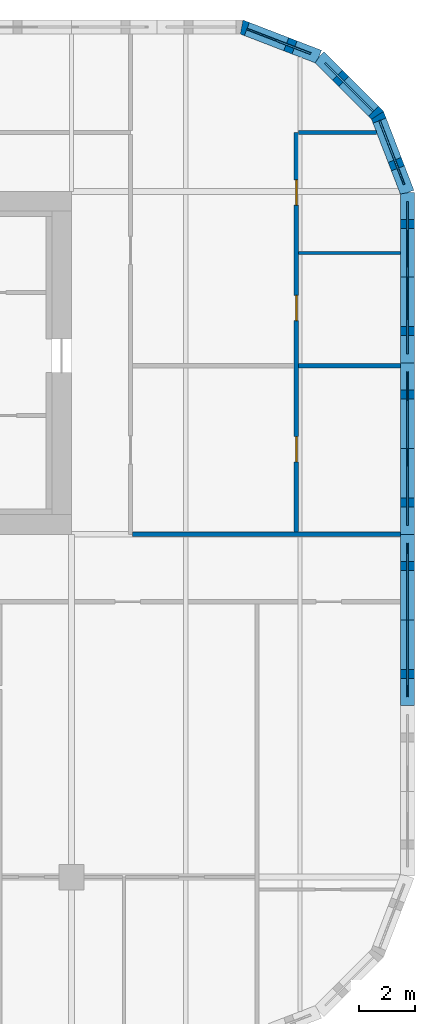
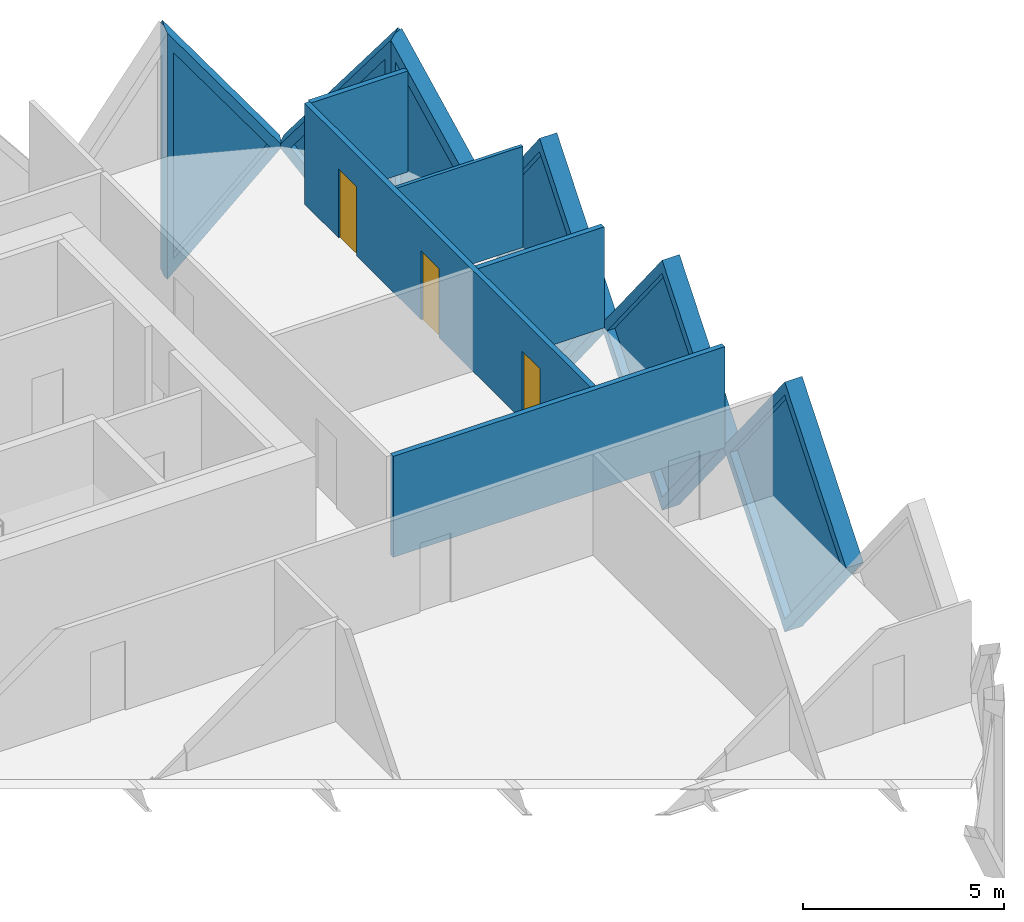
# One storey, part 16 of 19: 11 walls, 6 plates, 3 doors, 9 openings.
"""IFC4 building model written with IfcOpenShell, lengths in metres."""

from ifc_helpers import new_model, si_unit, direction, frame, frame_2d, origin, place, context, subcontext, project, spatial, polyline, rectangle, outline, extrude, faceted_brep, source, transform, mapped, material, layer, layer_set, type_object, element, fill, save


model = new_model("IFC4")

# Units and contexts
model_context = context("Model", 3, precision=1e-05, world=origin(), true_north=direction((0.0, 1.0)))
body_context = subcontext(model_context, "Body", "Model", "MODEL_VIEW")
ifc_project = project(units=[si_unit("LENGTHUNIT", "METRE"), si_unit("AREAUNIT", "SQUARE_METRE"), si_unit("VOLUMEUNIT", "CUBIC_METRE"), si_unit("PLANEANGLEUNIT", "RADIAN"), si_unit("MASSUNIT", "GRAM", prefix="KILO")], contexts=[model_context])

# Site, building, storey
site_placement = place(None, origin())
site = spatial("IfcSite", under=ifc_project, at=site_placement, CompositionType="ELEMENT")
building_placement = place(site_placement, origin())
building = spatial("IfcBuilding", under=site, at=building_placement, Name="Tessera Gate Towers", CompositionType="ELEMENT")
storey_placement = place(building_placement, frame((0.0, 0.0, 33.39990234375)))
storey = spatial("IfcBuildingStorey", under=building, at=storey_placement, Name="L07", CompositionType="ELEMENT", Elevation=33.39990234375)

# Walls
ifc_material_1 = material(Name="Gypsum board on steel studs, mineral wool", Category="steel")
ifc_layer_1 = layer(ifc_material_1, 0.14990234375)
ifc_layer_set_1 = layer_set([ifc_layer_1], Name="CORRIDOR WALL 150")
wall_type_1 = type_object("IfcWallType", Name="CORRIDOR WALL 150", PredefinedType="PARTITIONING", material=ifc_layer_set_1)
wall_1_placement = place(storey_placement, frame((124.176025390625, 36.60009765625, 0.0), z_axis=(0.0, 0.0, 1.0), x_axis=(1.0, 0.0, 0.0)))
element("IfcWall", 1, at=wall_1_placement, inside=storey, type_object=wall_type_1, Name="T2-L07-PW-031", PredefinedType="PARTITIONING", context=body_context, shape_type="SweptSolid", body=[
    extrude(rectangle(XDim=9.52392578125, YDim=0.14990234375, at=frame_2d((4.761962890625, 0.0))), origin(), (0.0, 0.0, 1.0), 3.067138671875),
])
ifc_material_2 = material(Name="Gypsum board on steel studs", Category="steel")
ifc_layer_2 = layer(ifc_material_2, 0.10009765625)
ifc_layer_set_2 = layer_set([ifc_layer_2], Name="PARTITION 100")
wall_type_2 = type_object("IfcWallType", Name="PARTITION 100", PredefinedType="PARTITIONING", material=ifc_layer_set_2)
wall_2_placement = place(storey_placement, frame((130.075927734375, 46.610107421875, 0.0), z_axis=(0.0, 0.0, 1.0), x_axis=(1.0, 0.0, 0.0)))
element("IfcWall", 2, at=wall_2_placement, inside=storey, type_object=wall_type_2, Name="T2-L07-PW-040", PredefinedType="PARTITIONING", context=body_context, shape_type="SweptSolid", body=[
    extrude(rectangle(XDim=3.6240234375, YDim=0.10009765625, at=frame_2d((1.81201171875, 0.0))), origin(), (0.0, 0.0, 1.0), 3.067138671875),
])

# Wall, openings, doors
ifc_material_3 = material(Name="Gypsum board on steel studs, mineral wool", Category="steel")
ifc_layer_3 = layer(ifc_material_3, 0.14990234375)
ifc_layer_set_3 = layer_set([ifc_layer_3], Name="TENANCY WALL 150")
wall_type_3 = type_object("IfcWallType", Name="TENANCY WALL 150", PredefinedType="PARTITIONING", material=ifc_layer_set_3)
wall_3_placement = place(storey_placement, frame((130.0, 50.89990234375, 0.0), z_axis=(0.0, 0.0, 1.0), x_axis=(0.0, -1.0, 0.0)))
wall_3 = element("IfcWall", 3, at=wall_3_placement, inside=storey, type_object=wall_type_3, Name="T2-L07-PW-033", PredefinedType="PARTITIONING", context=body_context, shape_type="SweptSolid", body=[
    extrude(rectangle(XDim=14.223876953125, YDim=0.14990234375, at=frame_2d((7.11181640625, 0.0))), origin(), (0.0, 0.0, 1.0), 3.067138671875),
])
shared_shape_1 = source(origin(), body_context, "Body", "SweptSolid", [
    extrude(rectangle(XDim=0.89990234375, YDim=2.10009765625, at=frame_2d((0.449951171875, 1.050048828125))), frame((0.0, 0.0849609375, 0.0), z_axis=(0.0, -1.0, 0.0), x_axis=(1.0, 0.0, 0.0)), (0.0, 0.0, 1.0), 0.169921875),
])
opening_1_placement = place(wall_3_placement, frame((5.799072265625, 0.0, 0.0)))
opening_1 = element("IfcOpeningElement", 4, at=opening_1_placement, cuts=wall_3, Name="Opening D190-B03-02", PredefinedType="OPENING", context=body_context, shape_type="MappedRepresentation", body=[
    mapped(shared_shape_1, transform((0.0, 0.0, 0.0), scale=1.0)),
])
opening_2_placement = place(wall_3_placement, frame((10.823974609375, 0.0, 0.0)))
opening_2 = element("IfcOpeningElement", 5, at=opening_2_placement, cuts=wall_3, Name="Opening D190-B03-14", PredefinedType="OPENING", context=body_context, shape_type="MappedRepresentation", body=[
    mapped(shared_shape_1, transform((0.0, 0.0, 0.0), scale=1.0)),
])
opening_3_placement = place(wall_3_placement, frame((1.690185546875, 0.0, 0.0)))
opening_3 = element("IfcOpeningElement", 6, at=opening_3_placement, cuts=wall_3, Name="Opening D190-B03-15", PredefinedType="OPENING", context=body_context, shape_type="MappedRepresentation", body=[
    mapped(shared_shape_1, transform((0.0, 0.0, 0.0), scale=1.0)),
])
ifc_material_4 = material(Name="Timber door leaf in steel frame", Category="steel")
door_type = type_object("IfcDoorType", Name="INTERNAL DOOR 900 NOT RATED", OperationType="NOTDEFINED", PredefinedType="DOOR", material=ifc_material_4)
shared_shape_2 = source(origin(), body_context, "Body", "SweptSolid", [
    extrude(rectangle(XDim=0.89990234375, YDim=2.10009765625, at=frame_2d((0.449951171875, 1.050048828125))), frame((0.0, 0.02490234375, 0.0), z_axis=(0.0, -1.0, 0.0), x_axis=(1.0, 0.0, 0.0)), (0.0, 0.0, 1.0), 0.050048828125),
])
door_1_placement = place(opening_1_placement, origin())
door_1 = element("IfcDoor", 7, at=door_1_placement, inside=storey, type_object=door_type, Name="T2-L07-PD-002", OperationType="SINGLE_SWING_RIGHT", OverallHeight=2.10009765625, OverallWidth=0.89990234375, PredefinedType="DOOR", context=body_context, shape_type="MappedRepresentation", body=[
    mapped(shared_shape_2, transform((0.0, 0.0, 0.0), scale=1.0)),
])
fill(opening_1, door_1)
door_2_placement = place(opening_2_placement, origin())
door_2 = element("IfcDoor", 8, at=door_2_placement, inside=storey, type_object=door_type, Name="T2-L07-PD-018", OperationType="SINGLE_SWING_RIGHT", OverallHeight=2.10009765625, OverallWidth=0.89990234375, PredefinedType="DOOR", context=body_context, shape_type="MappedRepresentation", body=[
    mapped(shared_shape_2, transform((0.0, 0.0, 0.0), scale=1.0)),
])
fill(opening_2, door_2)
door_3_placement = place(opening_3_placement, origin())
door_3 = element("IfcDoor", 9, at=door_3_placement, inside=storey, type_object=door_type, Name="T2-L07-PD-020", OperationType="SINGLE_SWING_RIGHT", OverallHeight=2.10009765625, OverallWidth=0.89990234375, PredefinedType="DOOR", context=body_context, shape_type="MappedRepresentation", body=[
    mapped(shared_shape_2, transform((0.0, 0.0, 0.0), scale=1.0)),
])
fill(opening_3, door_3)

# Walls
wall_4_placement = place(storey_placement, frame((130.075927734375, 42.60009765625, 0.0), z_axis=(0.0, 0.0, 1.0), x_axis=(1.0, 0.0, 0.0)))
element("IfcWall", 10, at=wall_4_placement, inside=storey, type_object=wall_type_3, Name="T2-L07-PW-036", PredefinedType="PARTITIONING", context=body_context, shape_type="SweptSolid", body=[
    extrude(rectangle(XDim=3.6240234375, YDim=0.14990234375, at=frame_2d((1.81201171875, 0.0))), origin(), (0.0, 0.0, 1.0), 3.067138671875),
])
wall_5_placement = place(storey_placement, frame((130.075927734375, 50.89990234375, 0.0), z_axis=(0.0, 0.0, 1.0), x_axis=(1.0, 0.0, 0.0)))
element("IfcWall", 11, at=wall_5_placement, inside=storey, type_object=wall_type_3, Name="T2-L07-PW-044", PredefinedType="PARTITIONING", context=body_context, shape_type="SweptSolid", body=[
    extrude(rectangle(XDim=2.778076171875, YDim=0.14990234375, at=frame_2d((1.38916015625, 0.0))), origin(), (0.0, 0.0, 1.0), 3.067138671875),
])

# Wall, opening, plate
ifc_material_5 = material(Name="Precast concrete C60/75 white", Category="concrete")
ifc_layer_4 = layer(ifc_material_5, 0.5)
ifc_layer_set_4 = layer_set([ifc_layer_4], Name="TS1 tessera")
wall_type_4 = type_object("IfcWallType", Name="TS1 tessera", PredefinedType="SOLIDWALL", material=ifc_layer_set_4)
shared_shape_3 = source(origin(), body_context, "Body", "Brep", [
    faceted_brep([(3.050048828125, -0.25, 0.0), (6.099853515625, -0.25, 3.799560546875), (6.099853515625, -0.25, 3.800048828125), (3.050048828125, -0.25, 7.599853515625), (0.0, -0.25, 3.7998046875), (0.0, 0.25, 3.7998046875), (3.050048828125, 0.25, 7.599853515625), (6.099853515625, 0.25, 3.800048828125), (6.099853515625, 0.25, 3.799560546875), (3.050048828125, 0.25, 0.0)], [[[0, 1, 2, 3, 4]], [[5, 6, 7, 8, 9]], [[9, 8, 1, 0]], [[7, 6, 3, 2]], [[6, 5, 4, 3]], [[5, 9, 0, 4]], [[1, 8, 7, 2]]]),
])
wall_6_placement = place(storey_placement, frame((133.949951171875, 36.60009765625, -3.7998046875), z_axis=(0.0, 0.0, 1.0), x_axis=(0.0, 1.0, 0.0)))
wall_6 = element("IfcWall", 12, at=wall_6_placement, inside=storey, type_object=wall_type_4, Name="Precast tessera T2 TS1-0043", PredefinedType="SOLIDWALL", context=body_context, shape_type="MappedRepresentation", body=[
    mapped(shared_shape_3, transform((0.0, 0.0, 0.0), scale=1.0)),
])
shared_shape_4 = source(origin(), body_context, "Body", "SweptSolid", [
    extrude(outline(polyline([(3.050048828125, 0.3994140625), (5.779541015625, 3.7998046875), (3.050048828125, 7.200439453125), (0.320556640625, 3.7998046875), (3.050048828125, 0.3994140625)])), frame((0.0, 0.260009765625, 0.0), z_axis=(0.0, -1.0, 0.0), x_axis=(1.0, 0.0, 0.0)), (0.0, 0.0, 1.0), 0.52001953125),
])
opening_4_placement = place(wall_6_placement, origin())
opening_4 = element("IfcOpeningElement", 13, at=opening_4_placement, cuts=wall_6, Name="Opening T2-PL2-0081", PredefinedType="OPENING", context=body_context, shape_type="MappedRepresentation", body=[
    mapped(shared_shape_4, transform((0.0, 0.0, 0.0), scale=1.0)),
])
ifc_material_6 = material(Name="Low-e laminated glass", Category="glass")
ifc_layer_5 = layer(ifc_material_6, 0.06005859375)
ifc_layer_set_5 = layer_set([ifc_layer_5], Name="PL2 rhombic pane")
plate_type = type_object("IfcPlateType", Name="PL2 rhombic pane", PredefinedType="SHEET", material=ifc_layer_set_5)
shared_shape_5 = source(origin(), body_context, "Body", "SweptSolid", [
    extrude(outline(polyline([(3.050048828125, 0.3994140625), (5.779541015625, 3.7998046875), (3.050048828125, 7.200439453125), (0.320556640625, 3.7998046875), (3.050048828125, 0.3994140625)])), frame((0.0, 0.030029296875, 0.0), z_axis=(0.0, -1.0, 0.0), x_axis=(1.0, 0.0, 0.0)), (0.0, 0.0, 1.0), 0.06005859375),
])
plate_1_placement = place(opening_4_placement, origin())
plate_1 = element("IfcPlate", 14, at=plate_1_placement, inside=storey, type_object=plate_type, Name="Glass pane T2 PL2-0081", PredefinedType="SHEET", context=body_context, shape_type="MappedRepresentation", body=[
    mapped(shared_shape_5, transform((0.0, 0.0, 0.0), scale=1.0)),
])
fill(opening_4, plate_1)

shared_shape_6 = source(origin(), body_context, "Body", "SweptSolid", [
    extrude(outline(polyline([(3.050048828125, 0.0), (6.10009765625, 3.7998046875), (3.050048828125, 7.599853515625), (0.0, 3.7998046875), (3.050048828125, 0.0)])), frame((0.0, 0.25, 0.0), z_axis=(0.0, -1.0, 0.0), x_axis=(1.0, 0.0, 0.0)), (0.0, 0.0, 1.0), 0.5),
])
wall_7_placement = place(storey_placement, frame((133.949951171875, 30.5, -3.7998046875), z_axis=(0.0, 0.0, 1.0), x_axis=(0.0, 1.0, 0.0)))
wall_7 = element("IfcWall", 15, at=wall_7_placement, inside=storey, type_object=wall_type_4, Name="Precast tessera T2 TS1-0042", PredefinedType="SOLIDWALL", context=body_context, shape_type="MappedRepresentation", body=[
    mapped(shared_shape_6, transform((0.0, 0.0, 0.0), scale=1.0)),
])
opening_5_placement = place(wall_7_placement, origin())
opening_5 = element("IfcOpeningElement", 16, at=opening_5_placement, cuts=wall_7, Name="Opening T2-PL2-0080", PredefinedType="OPENING", context=body_context, shape_type="MappedRepresentation", body=[
    mapped(shared_shape_4, transform((0.0, 0.0, 0.0), scale=1.0)),
])
plate_2_placement = place(opening_5_placement, origin())
plate_2 = element("IfcPlate", 17, at=plate_2_placement, inside=storey, type_object=plate_type, Name="Glass pane T2 PL2-0080", PredefinedType="SHEET", context=body_context, shape_type="MappedRepresentation", body=[
    mapped(shared_shape_5, transform((0.0, 0.0, 0.0), scale=1.0)),
])
fill(opening_5, plate_2)

shared_shape_7 = source(origin(), body_context, "Body", "Brep", [
    faceted_brep([(3.050048828125, -0.25, 0.0), (6.053466796875, -0.25, 3.7998046875), (3.050048828125, -0.25, 7.599853515625), (0.0, -0.25, 3.7998046875), (0.0, 0.25, 3.7998046875), (3.050048828125, 0.25, 7.599853515625), (6.0068359375, 0.25, 3.858642578125), (6.0068359375, 0.25, 3.740966796875), (3.050048828125, 0.25, 0.0), (6.053466796875, 0.0, 3.7998046875)], [[[0, 1, 2, 3]], [[4, 5, 6, 7, 8]], [[8, 7, 9, 1, 0]], [[6, 5, 2, 1, 9]], [[5, 4, 3, 2]], [[4, 8, 0, 3]], [[9, 7, 6]]]),
])
wall_8_placement = place(storey_placement, frame((133.949951171875, 42.699951171875, -3.7998046875), z_axis=(0.0, 0.0, 1.0), x_axis=(0.0, 1.0, 0.0)))
wall_8 = element("IfcWall", 18, at=wall_8_placement, inside=storey, type_object=wall_type_4, Name="Precast tessera T2 TS1-0044", PredefinedType="SOLIDWALL", context=body_context, shape_type="MappedRepresentation", body=[
    mapped(shared_shape_7, transform((0.0, 0.0, 0.0), scale=1.0)),
])
shared_shape_8 = source(origin(), body_context, "Body", "SweptSolid", [
    extrude(outline(polyline([(3.048583984375, 0.401123046875), (5.73486328125, 3.7998046875), (3.048583984375, 7.19873046875), (0.320556640625, 3.7998046875), (3.048583984375, 0.401123046875)])), frame((0.0, 0.260009765625, 0.0), z_axis=(0.0, -1.0, 0.0), x_axis=(1.0, 0.0, 0.0)), (0.0, 0.0, 1.0), 0.52001953125),
])
opening_6_placement = place(wall_8_placement, origin())
opening_6 = element("IfcOpeningElement", 19, at=opening_6_placement, cuts=wall_8, Name="Opening T2-PL2-0082", PredefinedType="OPENING", context=body_context, shape_type="MappedRepresentation", body=[
    mapped(shared_shape_8, transform((0.0, 0.0, 0.0), scale=1.0)),
])
shared_shape_9 = source(origin(), body_context, "Body", "SweptSolid", [
    extrude(outline(polyline([(3.048583984375, 0.401123046875), (5.73486328125, 3.7998046875), (3.048583984375, 7.19873046875), (0.320556640625, 3.7998046875), (3.048583984375, 0.401123046875)])), frame((0.0, 0.030029296875, 0.0), z_axis=(0.0, -1.0, 0.0), x_axis=(1.0, 0.0, 0.0)), (0.0, 0.0, 1.0), 0.06005859375),
])
plate_3_placement = place(opening_6_placement, origin())
plate_3 = element("IfcPlate", 20, at=plate_3_placement, inside=storey, type_object=plate_type, Name="Glass pane T2 PL2-0082", PredefinedType="SHEET", context=body_context, shape_type="MappedRepresentation", body=[
    mapped(shared_shape_9, transform((0.0, 0.0, 0.0), scale=1.0)),
])
fill(opening_6, plate_3)

ifc_material_7 = material(Name="Precast concrete C60/75 white", Category="concrete")
ifc_layer_6 = layer(ifc_material_7, 0.5)
ifc_layer_set_6 = layer_set([ifc_layer_6], Name="TS3 corner tessera")
wall_type_5 = type_object("IfcWallType", Name="TS3 corner tessera", PredefinedType="SOLIDWALL", material=ifc_layer_set_6)
shared_shape_10 = source(origin(), body_context, "Body", "Brep", [
    faceted_brep([(2.950439453125, -0.25, 0.0), (2.9970703125, -0.25, 0.05908203125), (2.9970703125, -0.25, 7.540771484375), (2.950439453125, -0.25, 7.599853515625), (0.0, -0.25, 3.7998046875), (0.052978515625, 0.25, 3.867919921875), (2.904052734375, 0.25, 7.5400390625), (2.904052734375, 0.25, 0.059814453125), (0.052978515625, 0.25, 3.731689453125), (2.950439453125, 0.00048828125, 0.0), (2.950439453125, 0.00048828125, 7.599853515625), (0.0, 0.0, 3.7998046875)], [[[0, 1, 2, 3, 4]], [[5, 6, 7, 8]], [[1, 0, 9]], [[10, 3, 2]], [[6, 5, 11, 4, 3, 10]], [[8, 7, 9, 0, 4, 11]], [[8, 11, 5]], [[1, 9, 7, 6, 10, 2]]]),
])
wall_9_placement = place(storey_placement, frame((130.80615234375, 53.588134765625, -3.7998046875), z_axis=(0.0, 0.0, 1.0), x_axis=(-0.932990326376, 0.359901446078, 0.0)))
wall_9 = element("IfcWall", 21, at=wall_9_placement, inside=storey, type_object=wall_type_5, Name="Precast corner tessera T2 TS3-0089", PredefinedType="SOLIDWALL", context=body_context, shape_type="MappedRepresentation", body=[
    mapped(shared_shape_10, transform((0.0, 0.0, 0.0), scale=1.0)),
])
shared_shape_11 = source(origin(), body_context, "Body", "SweptSolid", [
    extrude(outline(polyline([(2.75048828125, 6.9345703125), (0.31640625, 3.7998046875), (2.75048828125, 0.6650390625), (2.75048828125, 6.9345703125)])), frame((0.0, 0.260009765625, 0.0), z_axis=(0.0, -1.0, 0.0), x_axis=(1.0, 0.0, 0.0)), (0.0, 0.0, 1.0), 0.52001953125),
])
opening_7_placement = place(wall_9_placement, origin())
opening_7 = element("IfcOpeningElement", 22, at=opening_7_placement, cuts=wall_9, Name="Opening T2-PL2-0085", PredefinedType="OPENING", context=body_context, shape_type="MappedRepresentation", body=[
    mapped(shared_shape_11, transform((0.0, 0.0, 0.0), scale=1.0)),
])
shared_shape_12 = source(origin(), body_context, "Body", "SweptSolid", [
    extrude(outline(polyline([(2.75048828125, 6.9345703125), (0.31640625, 3.7998046875), (2.75048828125, 0.6650390625), (2.75048828125, 6.9345703125)])), frame((0.0, 0.030029296875, 0.0), z_axis=(0.0, -1.0, 0.0), x_axis=(1.0, 0.0, 0.0)), (0.0, 0.0, 1.0), 0.06005859375),
])
plate_4_placement = place(opening_7_placement, origin())
plate_4 = element("IfcPlate", 23, at=plate_4_placement, inside=storey, type_object=plate_type, Name="Glass pane T2 PL2-0085", PredefinedType="SHEET", context=body_context, shape_type="MappedRepresentation", body=[
    mapped(shared_shape_12, transform((0.0, 0.0, 0.0), scale=1.0)),
])
fill(opening_7, plate_4)

shared_shape_13 = source(origin(), body_context, "Body", "Brep", [
    faceted_brep([(0.052978515625, -0.25, 0.0), (2.9970703125, -0.25, 3.7998046875), (0.052978515625, -0.25, 7.599853515625), (0.0, -0.25, 7.53173828125), (0.0, -0.25, 0.068115234375), (0.10595703125, 0.25, 7.531494140625), (2.944091796875, 0.25, 3.867919921875), (2.944091796875, 0.25, 3.731689453125), (0.10595703125, 0.25, 0.068359375), (2.9970703125, 0.000244140625, 3.7998046875), (0.052978515625, 0.0, 0.0), (0.052978515625, 0.0, 7.599853515625)], [[[0, 1, 2, 3, 4]], [[5, 6, 7, 8]], [[8, 7, 9, 1, 0, 10]], [[6, 5, 11, 2, 1, 9]], [[3, 2, 11]], [[10, 0, 4]], [[8, 10, 4, 3, 11, 5]], [[9, 7, 6]]]),
])
wall_10_placement = place(storey_placement, frame((132.925537109375, 51.46875, -3.7998046875), z_axis=(0.0, 0.0, 1.0), x_axis=(-0.707066050402, 0.707147509625, 0.0)))
wall_10 = element("IfcWall", 24, at=wall_10_placement, inside=storey, type_object=wall_type_5, Name="Precast corner tessera T2 TS3-0088", PredefinedType="SOLIDWALL", context=body_context, shape_type="MappedRepresentation", body=[
    mapped(shared_shape_13, transform((0.0, 0.0, 0.0), scale=1.0)),
])
shared_shape_14 = source(origin(), body_context, "Body", "SweptSolid", [
    extrude(outline(polyline([(0.2529296875, 0.666259765625), (2.680908203125, 3.7998046875), (0.2529296875, 6.93359375), (0.2529296875, 0.666259765625)])), frame((0.0, 0.260009765625, 0.0), z_axis=(0.0, -1.0, 0.0), x_axis=(1.0, 0.0, 0.0)), (0.0, 0.0, 1.0), 0.52001953125),
])
opening_8_placement = place(wall_10_placement, origin())
opening_8 = element("IfcOpeningElement", 25, at=opening_8_placement, cuts=wall_10, Name="Opening T2-PL2-0084", PredefinedType="OPENING", context=body_context, shape_type="MappedRepresentation", body=[
    mapped(shared_shape_14, transform((0.0, 0.0, 0.0), scale=1.0)),
])
shared_shape_15 = source(origin(), body_context, "Body", "SweptSolid", [
    extrude(outline(polyline([(0.2529296875, 0.666259765625), (2.680908203125, 3.7998046875), (0.2529296875, 6.93359375), (0.2529296875, 0.666259765625)])), frame((0.0, 0.030029296875, 0.0), z_axis=(0.0, -1.0, 0.0), x_axis=(1.0, 0.0, 0.0)), (0.0, 0.0, 1.0), 0.06005859375),
])
plate_5_placement = place(opening_8_placement, origin())
plate_5 = element("IfcPlate", 26, at=plate_5_placement, inside=storey, type_object=plate_type, Name="Glass pane T2 PL2-0084", PredefinedType="SHEET", context=body_context, shape_type="MappedRepresentation", body=[
    mapped(shared_shape_15, transform((0.0, 0.0, 0.0), scale=1.0)),
])
fill(opening_8, plate_5)

shared_shape_16 = source(origin(), body_context, "Body", "Brep", [
    faceted_brep([(2.950439453125, -0.25, 0.0), (3.00341796875, -0.25, 0.068359375), (3.00341796875, -0.25, 7.531494140625), (2.950439453125, -0.25, 7.599853515625), (0.0, -0.25, 3.7998046875), (0.046630859375, 0.25, 3.85986328125), (2.897705078125, 0.25, 7.53173828125), (2.897705078125, 0.25, 0.068115234375), (0.046630859375, 0.25, 3.73974609375), (2.950439453125, 0.00048828125, 0.0), (2.950439453125, 0.00048828125, 7.599853515625), (0.0, 0.0, 3.7998046875)], [[[0, 1, 2, 3, 4]], [[5, 6, 7, 8]], [[1, 0, 9]], [[10, 3, 2]], [[6, 5, 11, 4, 3, 10]], [[8, 7, 9, 0, 4, 11]], [[8, 11, 5]], [[1, 9, 7, 6, 10, 2]]]),
])
wall_11_placement = place(storey_placement, frame((133.949951171875, 48.75341796875, -3.7998046875), z_axis=(0.0, 0.0, 1.0), x_axis=(-0.359855894603, 0.933007896601, 0.0)))
wall_11 = element("IfcWall", 27, at=wall_11_placement, inside=storey, type_object=wall_type_5, Name="Precast corner tessera T2 TS3-0087", PredefinedType="SOLIDWALL", context=body_context, shape_type="MappedRepresentation", body=[
    mapped(shared_shape_16, transform((0.0, 0.0, 0.0), scale=1.0)),
])
opening_9_placement = place(wall_11_placement, origin())
opening_9 = element("IfcOpeningElement", 28, at=opening_9_placement, cuts=wall_11, Name="Opening T2-PL2-0083", PredefinedType="OPENING", context=body_context, shape_type="MappedRepresentation", body=[
    mapped(shared_shape_11, transform((0.0, 0.0, 0.0), scale=1.0)),
])
plate_6_placement = place(opening_9_placement, origin())
plate_6 = element("IfcPlate", 29, at=plate_6_placement, inside=storey, type_object=plate_type, Name="Glass pane T2 PL2-0083", PredefinedType="SHEET", context=body_context, shape_type="MappedRepresentation", body=[
    mapped(shared_shape_12, transform((0.0, 0.0, 0.0), scale=1.0)),
])
fill(opening_9, plate_6)

save(model, "model.ifc")
